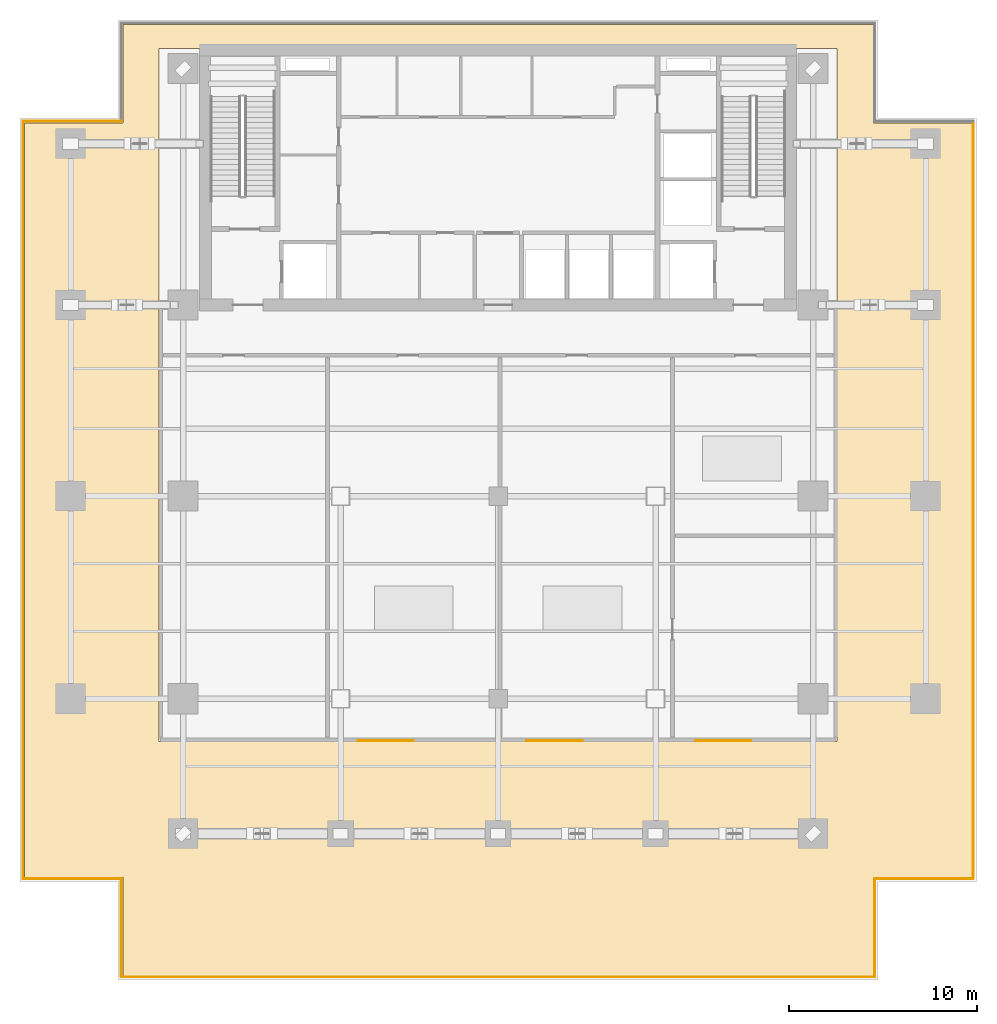
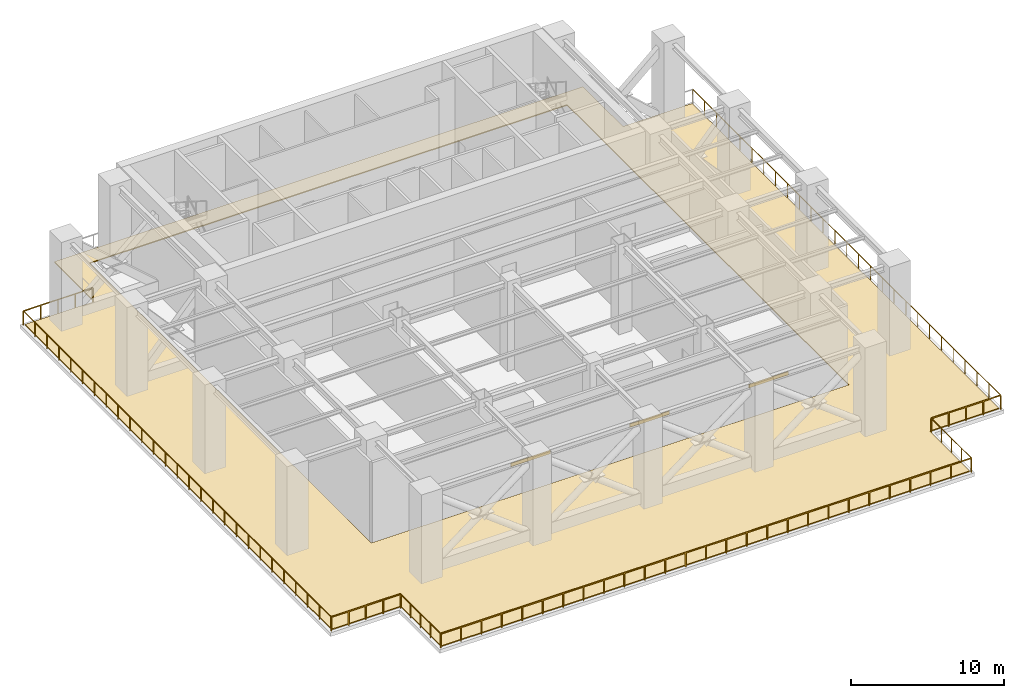
# One storey, part 6 of 9: 8 railings, 3 shading devices, 1 covering.
"""IFC4 building model written with IfcOpenShell, lengths in metres."""

from ifc_helpers import new_model, si_unit, direction, frame, origin, origin_2d, place, context, subcontext, project, spatial, polyline, rectangle, outline, extrude, source, transform, mapped, material, layer, layer_set, material_profile, profile_set, type_object, element, save


model = new_model("IFC4")

# Units and contexts
model_context = context("Model", 3, precision=1e-05, world=origin(), true_north=direction((0.0, 1.0)))
body_context = subcontext(model_context, "Body", "Model", "MODEL_VIEW")
ifc_project = project(units=[si_unit("LENGTHUNIT", "METRE"), si_unit("AREAUNIT", "SQUARE_METRE"), si_unit("VOLUMEUNIT", "CUBIC_METRE"), si_unit("PLANEANGLEUNIT", "RADIAN"), si_unit("MASSUNIT", "GRAM", prefix="KILO")], contexts=[model_context])

# Site, building, storey
site_placement = place(None, origin())
site = spatial("IfcSite", under=ifc_project, at=site_placement, CompositionType="ELEMENT")
building_placement = place(site_placement, origin())
building = spatial("IfcBuilding", under=site, at=building_placement, Name="Sumidabori Civic Tower", CompositionType="ELEMENT")
storey_placement = place(building_placement, frame((0.0, 0.0, 124.39990234375)))
storey = spatial("IfcBuildingStorey", under=building, at=storey_placement, Name="L32", CompositionType="ELEMENT", Elevation=124.39990234375)

# Covering
ifc_material_1 = material(Name="Insulated Waterproof Roofing Membrane")
ifc_layer = layer(ifc_material_1, 0.080078125, Name="Insulated Waterproof Roofing Membrane")
ifc_layer_set = layer_set([ifc_layer], Name="Insulated Waterproof Roofing Membrane")
covering_type = type_object("IfcCoveringType", Name="CV-ROOF-MEM", PredefinedType="ROOFING", material=ifc_layer_set)
covering_placement = place(storey_placement, origin())
element("IfcCovering", 1, at=covering_placement, inside=storey, type_object=covering_type, Name="Wind-Slot Deck Waterproofing Membrane L32-1", PredefinedType="ROOFING", context=body_context, shape_type="SweptSolid", body=[
    extrude(outline(polyline([(-20.010009765625, -20.31005859375), (-25.260009765625, -20.31005859375), (-25.260009765625, 19.909912109375), (-20.010009765625, 19.909912109375), (-20.010009765625, 25.159912109375), (20.010009765625, 25.159912109375), (20.010009765625, 19.909912109375), (25.260009765625, 19.909912109375), (25.260009765625, -20.31005859375), (20.010009765625, -20.31005859375), (20.010009765625, -25.56005859375), (-20.010009765625, -25.56005859375), (-20.010009765625, -20.31005859375)]), holes=[polyline([(18.080078125, 23.8798828125), (-18.080078125, 23.8798828125), (-18.080078125, -13.080078125), (18.080078125, -13.080078125), (18.080078125, 23.8798828125)])]), origin(), (0.0, 0.0, 1.0), 0.080078125),
])

# Railings
ifc_material_2 = material(Name="Anodised Bronze Aluminium AW-6063-T6", Category="aluminium")
railing_type = type_object("IfcRailingType", Name="RL-BAL-1150", PredefinedType="BALUSTRADE", material=ifc_material_2)
railing_1_placement = place(storey_placement, frame((-20.090087890625, -25.639892578125, 0.0)))
element("IfcRailing", 2, at=railing_1_placement, inside=storey, type_object=railing_type, Name="Wind-Slot Refuge Portal Safety Guard L32-01", PredefinedType="BALUSTRADE", context=body_context, shape_type="SweptSolid", body=[
    extrude(rectangle(XDim=0.048095703125, YDim=0.048095703125, at=origin_2d()), frame((0.0, 0.0, 1.1259765625), z_axis=(0.0, 1.0, 0.0), x_axis=(-1.0, 0.0, 0.0)), (0.0, 0.0, 1.0), 5.25),
    extrude(rectangle(XDim=0.0419921875, YDim=0.0419921875, at=origin_2d()), origin(), (0.0, 0.0, 1.0), 1.101806640625),
    extrude(rectangle(XDim=0.0419921875, YDim=0.0419921875, at=origin_2d()), frame((0.0, 1.3125, 0.0)), (0.0, 0.0, 1.0), 1.101806640625),
    extrude(rectangle(XDim=0.0419921875, YDim=0.0419921875, at=origin_2d()), frame((0.0, 2.625, 0.0)), (0.0, 0.0, 1.0), 1.101806640625),
    extrude(rectangle(XDim=0.0419921875, YDim=0.0419921875, at=origin_2d()), frame((0.0, 3.9375, 0.0)), (0.0, 0.0, 1.0), 1.101806640625),
    extrude(rectangle(XDim=0.0419921875, YDim=0.0419921875, at=origin_2d()), frame((0.0, 5.25, 0.0)), (0.0, 0.0, 1.0), 1.101806640625),
])
railing_2_placement = place(storey_placement, frame((-20.090087890625, -20.389892578125, 0.0)))
element("IfcRailing", 3, at=railing_2_placement, inside=storey, type_object=railing_type, Name="Wind-Slot Refuge Portal Safety Guard L32-02", PredefinedType="BALUSTRADE", context=body_context, shape_type="SweptSolid", body=[
    extrude(rectangle(XDim=0.048095703125, YDim=0.048095703125, at=origin_2d()), frame((0.0, 0.0, 1.1259765625), z_axis=(-1.0, 0.0, 0.0), x_axis=(0.0, -1.0, 0.0)), (0.0, 0.0, 1.0), 5.25),
    extrude(rectangle(XDim=0.0419921875, YDim=0.0419921875, at=origin_2d()), origin(), (0.0, 0.0, 1.0), 1.101806640625),
    extrude(rectangle(XDim=0.0419921875, YDim=0.0419921875, at=origin_2d()), frame((-1.3125, 0.0, 0.0)), (0.0, 0.0, 1.0), 1.101806640625),
    extrude(rectangle(XDim=0.0419921875, YDim=0.0419921875, at=origin_2d()), frame((-2.625, 0.0, 0.0)), (0.0, 0.0, 1.0), 1.101806640625),
    extrude(rectangle(XDim=0.0419921875, YDim=0.0419921875, at=origin_2d()), frame((-3.9375, 0.0, 0.0)), (0.0, 0.0, 1.0), 1.101806640625),
    extrude(rectangle(XDim=0.0419921875, YDim=0.0419921875, at=origin_2d()), frame((-5.25, 0.0, 0.0)), (0.0, 0.0, 1.0), 1.101806640625),
])
railing_3_placement = place(storey_placement, frame((-25.340087890625, -20.389892578125, 0.0)))
element("IfcRailing", 4, at=railing_3_placement, inside=storey, type_object=railing_type, Name="Wind-Slot Refuge Portal Safety Guard L32-03", PredefinedType="BALUSTRADE", context=body_context, shape_type="SweptSolid", body=[
    extrude(rectangle(XDim=0.048095703125, YDim=0.048095703125, at=origin_2d()), frame((0.0, 0.0, 1.1259765625), z_axis=(0.0, 1.0, 0.0), x_axis=(-1.0, 0.0, 0.0)), (0.0, 0.0, 1.0), 40.3798828125),
    extrude(rectangle(XDim=0.0419921875, YDim=0.0419921875, at=origin_2d()), origin(), (0.0, 0.0, 1.0), 1.101806640625),
    extrude(rectangle(XDim=0.0419921875, YDim=0.0419921875, at=origin_2d()), frame((0.0, 1.552978515625, 0.0)), (0.0, 0.0, 1.0), 1.101806640625),
    extrude(rectangle(XDim=0.0419921875, YDim=0.0419921875, at=origin_2d()), frame((0.0, 3.106201171875, 0.0)), (0.0, 0.0, 1.0), 1.101806640625),
    extrude(rectangle(XDim=0.0419921875, YDim=0.0419921875, at=origin_2d()), frame((0.0, 4.6591796875, 0.0)), (0.0, 0.0, 1.0), 1.101806640625),
    extrude(rectangle(XDim=0.0419921875, YDim=0.0419921875, at=origin_2d()), frame((0.0, 6.21240234375, 0.0)), (0.0, 0.0, 1.0), 1.101806640625),
    extrude(rectangle(XDim=0.0419921875, YDim=0.0419921875, at=origin_2d()), frame((0.0, 7.765380859375, 0.0)), (0.0, 0.0, 1.0), 1.101806640625),
    extrude(rectangle(XDim=0.0419921875, YDim=0.0419921875, at=origin_2d()), frame((0.0, 9.318359375, 0.0)), (0.0, 0.0, 1.0), 1.101806640625),
    extrude(rectangle(XDim=0.0419921875, YDim=0.0419921875, at=origin_2d()), frame((0.0, 10.87158203125, 0.0)), (0.0, 0.0, 1.0), 1.101806640625),
    extrude(rectangle(XDim=0.0419921875, YDim=0.0419921875, at=origin_2d()), frame((0.0, 12.424560546875, 0.0)), (0.0, 0.0, 1.0), 1.101806640625),
    extrude(rectangle(XDim=0.0419921875, YDim=0.0419921875, at=origin_2d()), frame((0.0, 13.9775390625, 0.0)), (0.0, 0.0, 1.0), 1.101806640625),
    extrude(rectangle(XDim=0.0419921875, YDim=0.0419921875, at=origin_2d()), frame((0.0, 15.53076171875, 0.0)), (0.0, 0.0, 1.0), 1.101806640625),
    extrude(rectangle(XDim=0.0419921875, YDim=0.0419921875, at=origin_2d()), frame((0.0, 17.083740234375, 0.0)), (0.0, 0.0, 1.0), 1.101806640625),
    extrude(rectangle(XDim=0.0419921875, YDim=0.0419921875, at=origin_2d()), frame((0.0, 18.636962890625, 0.0)), (0.0, 0.0, 1.0), 1.101806640625),
    extrude(rectangle(XDim=0.0419921875, YDim=0.0419921875, at=origin_2d()), frame((0.0, 20.18994140625, 0.0)), (0.0, 0.0, 1.0), 1.101806640625),
    extrude(rectangle(XDim=0.0419921875, YDim=0.0419921875, at=origin_2d()), frame((0.0, 21.742919921875, 0.0)), (0.0, 0.0, 1.0), 1.101806640625),
    extrude(rectangle(XDim=0.0419921875, YDim=0.0419921875, at=origin_2d()), frame((0.0, 23.296142578125, 0.0)), (0.0, 0.0, 1.0), 1.101806640625),
    extrude(rectangle(XDim=0.0419921875, YDim=0.0419921875, at=origin_2d()), frame((0.0, 24.84912109375, 0.0)), (0.0, 0.0, 1.0), 1.101806640625),
    extrude(rectangle(XDim=0.0419921875, YDim=0.0419921875, at=origin_2d()), frame((0.0, 26.40234375, 0.0)), (0.0, 0.0, 1.0), 1.101806640625),
    extrude(rectangle(XDim=0.0419921875, YDim=0.0419921875, at=origin_2d()), frame((0.0, 27.955322265625, 0.0)), (0.0, 0.0, 1.0), 1.101806640625),
    extrude(rectangle(XDim=0.0419921875, YDim=0.0419921875, at=origin_2d()), frame((0.0, 29.50830078125, 0.0)), (0.0, 0.0, 1.0), 1.101806640625),
    extrude(rectangle(XDim=0.0419921875, YDim=0.0419921875, at=origin_2d()), frame((0.0, 31.0615234375, 0.0)), (0.0, 0.0, 1.0), 1.101806640625),
    extrude(rectangle(XDim=0.0419921875, YDim=0.0419921875, at=origin_2d()), frame((0.0, 32.614501953125, 0.0)), (0.0, 0.0, 1.0), 1.101806640625),
    extrude(rectangle(XDim=0.0419921875, YDim=0.0419921875, at=origin_2d()), frame((0.0, 34.16748046875, 0.0)), (0.0, 0.0, 1.0), 1.101806640625),
    extrude(rectangle(XDim=0.0419921875, YDim=0.0419921875, at=origin_2d()), frame((0.0, 35.720703125, 0.0)), (0.0, 0.0, 1.0), 1.101806640625),
    extrude(rectangle(XDim=0.0419921875, YDim=0.0419921875, at=origin_2d()), frame((0.0, 37.273681640625, 0.0)), (0.0, 0.0, 1.0), 1.101806640625),
    extrude(rectangle(XDim=0.0419921875, YDim=0.0419921875, at=origin_2d()), frame((0.0, 38.826904296875, 0.0)), (0.0, 0.0, 1.0), 1.101806640625),
    extrude(rectangle(XDim=0.0419921875, YDim=0.0419921875, at=origin_2d()), frame((0.0, 40.3798828125, 0.0)), (0.0, 0.0, 1.0), 1.101806640625),
])
railing_4_placement = place(storey_placement, frame((-25.340087890625, 19.989990234375, 0.0)))
element("IfcRailing", 5, at=railing_4_placement, inside=storey, type_object=railing_type, Name="Wind-Slot Refuge Portal Safety Guard L32-04", PredefinedType="BALUSTRADE", context=body_context, shape_type="SweptSolid", body=[
    extrude(rectangle(XDim=0.048095703125, YDim=0.048095703125, at=origin_2d()), frame((0.0, 0.0, 1.1259765625), z_axis=(1.0, 0.0, 0.0), x_axis=(0.0, 1.0, 0.0)), (0.0, 0.0, 1.0), 5.25),
    extrude(rectangle(XDim=0.0419921875, YDim=0.0419921875, at=origin_2d()), origin(), (0.0, 0.0, 1.0), 1.101806640625),
    extrude(rectangle(XDim=0.0419921875, YDim=0.0419921875, at=origin_2d()), frame((1.3125, 0.0, 0.0)), (0.0, 0.0, 1.0), 1.101806640625),
    extrude(rectangle(XDim=0.0419921875, YDim=0.0419921875, at=origin_2d()), frame((2.625, 0.0, 0.0)), (0.0, 0.0, 1.0), 1.101806640625),
    extrude(rectangle(XDim=0.0419921875, YDim=0.0419921875, at=origin_2d()), frame((3.9375, 0.0, 0.0)), (0.0, 0.0, 1.0), 1.101806640625),
    extrude(rectangle(XDim=0.0419921875, YDim=0.0419921875, at=origin_2d()), frame((5.25, 0.0, 0.0)), (0.0, 0.0, 1.0), 1.101806640625),
])
railing_5_placement = place(storey_placement, frame((25.340087890625, 19.989990234375, 0.0)))
element("IfcRailing", 6, at=railing_5_placement, inside=storey, type_object=railing_type, Name="Wind-Slot Refuge Portal Safety Guard L32-09", PredefinedType="BALUSTRADE", context=body_context, shape_type="SweptSolid", body=[
    extrude(rectangle(XDim=0.048095703125, YDim=0.048095703125, at=origin_2d()), frame((0.0, 0.0, 1.1259765625), z_axis=(0.0, -1.0, 0.0), x_axis=(1.0, 0.0, 0.0)), (0.0, 0.0, 1.0), 40.3798828125),
    extrude(rectangle(XDim=0.0419921875, YDim=0.0419921875, at=origin_2d()), origin(), (0.0, 0.0, 1.0), 1.101806640625),
    extrude(rectangle(XDim=0.0419921875, YDim=0.0419921875, at=origin_2d()), frame((0.0, -1.552978515625, 0.0)), (0.0, 0.0, 1.0), 1.101806640625),
    extrude(rectangle(XDim=0.0419921875, YDim=0.0419921875, at=origin_2d()), frame((0.0, -3.106201171875, 0.0)), (0.0, 0.0, 1.0), 1.101806640625),
    extrude(rectangle(XDim=0.0419921875, YDim=0.0419921875, at=origin_2d()), frame((0.0, -4.6591796875, 0.0)), (0.0, 0.0, 1.0), 1.101806640625),
    extrude(rectangle(XDim=0.0419921875, YDim=0.0419921875, at=origin_2d()), frame((0.0, -6.21240234375, 0.0)), (0.0, 0.0, 1.0), 1.101806640625),
    extrude(rectangle(XDim=0.0419921875, YDim=0.0419921875, at=origin_2d()), frame((0.0, -7.765380859375, 0.0)), (0.0, 0.0, 1.0), 1.101806640625),
    extrude(rectangle(XDim=0.0419921875, YDim=0.0419921875, at=origin_2d()), frame((0.0, -9.318359375, 0.0)), (0.0, 0.0, 1.0), 1.101806640625),
    extrude(rectangle(XDim=0.0419921875, YDim=0.0419921875, at=origin_2d()), frame((0.0, -10.87158203125, 0.0)), (0.0, 0.0, 1.0), 1.101806640625),
    extrude(rectangle(XDim=0.0419921875, YDim=0.0419921875, at=origin_2d()), frame((0.0, -12.424560546875, 0.0)), (0.0, 0.0, 1.0), 1.101806640625),
    extrude(rectangle(XDim=0.0419921875, YDim=0.0419921875, at=origin_2d()), frame((0.0, -13.9775390625, 0.0)), (0.0, 0.0, 1.0), 1.101806640625),
    extrude(rectangle(XDim=0.0419921875, YDim=0.0419921875, at=origin_2d()), frame((0.0, -15.53076171875, 0.0)), (0.0, 0.0, 1.0), 1.101806640625),
    extrude(rectangle(XDim=0.0419921875, YDim=0.0419921875, at=origin_2d()), frame((0.0, -17.083740234375, 0.0)), (0.0, 0.0, 1.0), 1.101806640625),
    extrude(rectangle(XDim=0.0419921875, YDim=0.0419921875, at=origin_2d()), frame((0.0, -18.636962890625, 0.0)), (0.0, 0.0, 1.0), 1.101806640625),
    extrude(rectangle(XDim=0.0419921875, YDim=0.0419921875, at=origin_2d()), frame((0.0, -20.18994140625, 0.0)), (0.0, 0.0, 1.0), 1.101806640625),
    extrude(rectangle(XDim=0.0419921875, YDim=0.0419921875, at=origin_2d()), frame((0.0, -21.742919921875, 0.0)), (0.0, 0.0, 1.0), 1.101806640625),
    extrude(rectangle(XDim=0.0419921875, YDim=0.0419921875, at=origin_2d()), frame((0.0, -23.296142578125, 0.0)), (0.0, 0.0, 1.0), 1.101806640625),
    extrude(rectangle(XDim=0.0419921875, YDim=0.0419921875, at=origin_2d()), frame((0.0, -24.84912109375, 0.0)), (0.0, 0.0, 1.0), 1.101806640625),
    extrude(rectangle(XDim=0.0419921875, YDim=0.0419921875, at=origin_2d()), frame((0.0, -26.40234375, 0.0)), (0.0, 0.0, 1.0), 1.101806640625),
    extrude(rectangle(XDim=0.0419921875, YDim=0.0419921875, at=origin_2d()), frame((0.0, -27.955322265625, 0.0)), (0.0, 0.0, 1.0), 1.101806640625),
    extrude(rectangle(XDim=0.0419921875, YDim=0.0419921875, at=origin_2d()), frame((0.0, -29.50830078125, 0.0)), (0.0, 0.0, 1.0), 1.101806640625),
    extrude(rectangle(XDim=0.0419921875, YDim=0.0419921875, at=origin_2d()), frame((0.0, -31.0615234375, 0.0)), (0.0, 0.0, 1.0), 1.101806640625),
    extrude(rectangle(XDim=0.0419921875, YDim=0.0419921875, at=origin_2d()), frame((0.0, -32.614501953125, 0.0)), (0.0, 0.0, 1.0), 1.101806640625),
    extrude(rectangle(XDim=0.0419921875, YDim=0.0419921875, at=origin_2d()), frame((0.0, -34.16748046875, 0.0)), (0.0, 0.0, 1.0), 1.101806640625),
    extrude(rectangle(XDim=0.0419921875, YDim=0.0419921875, at=origin_2d()), frame((0.0, -35.720703125, 0.0)), (0.0, 0.0, 1.0), 1.101806640625),
    extrude(rectangle(XDim=0.0419921875, YDim=0.0419921875, at=origin_2d()), frame((0.0, -37.273681640625, 0.0)), (0.0, 0.0, 1.0), 1.101806640625),
    extrude(rectangle(XDim=0.0419921875, YDim=0.0419921875, at=origin_2d()), frame((0.0, -38.826904296875, 0.0)), (0.0, 0.0, 1.0), 1.101806640625),
    extrude(rectangle(XDim=0.0419921875, YDim=0.0419921875, at=origin_2d()), frame((0.0, -40.3798828125, 0.0)), (0.0, 0.0, 1.0), 1.101806640625),
])
railing_6_placement = place(storey_placement, frame((25.340087890625, -20.389892578125, 0.0)))
element("IfcRailing", 7, at=railing_6_placement, inside=storey, type_object=railing_type, Name="Wind-Slot Refuge Portal Safety Guard L32-10", PredefinedType="BALUSTRADE", context=body_context, shape_type="SweptSolid", body=[
    extrude(rectangle(XDim=0.048095703125, YDim=0.048095703125, at=origin_2d()), frame((0.0, 0.0, 1.1259765625), z_axis=(-1.0, 0.0, 0.0), x_axis=(0.0, -1.0, 0.0)), (0.0, 0.0, 1.0), 5.25),
    extrude(rectangle(XDim=0.0419921875, YDim=0.0419921875, at=origin_2d()), origin(), (0.0, 0.0, 1.0), 1.101806640625),
    extrude(rectangle(XDim=0.0419921875, YDim=0.0419921875, at=origin_2d()), frame((-1.3125, 0.0, 0.0)), (0.0, 0.0, 1.0), 1.101806640625),
    extrude(rectangle(XDim=0.0419921875, YDim=0.0419921875, at=origin_2d()), frame((-2.625, 0.0, 0.0)), (0.0, 0.0, 1.0), 1.101806640625),
    extrude(rectangle(XDim=0.0419921875, YDim=0.0419921875, at=origin_2d()), frame((-3.9375, 0.0, 0.0)), (0.0, 0.0, 1.0), 1.101806640625),
    extrude(rectangle(XDim=0.0419921875, YDim=0.0419921875, at=origin_2d()), frame((-5.25, 0.0, 0.0)), (0.0, 0.0, 1.0), 1.101806640625),
])
railing_7_placement = place(storey_placement, frame((20.090087890625, -20.389892578125, 0.0)))
element("IfcRailing", 8, at=railing_7_placement, inside=storey, type_object=railing_type, Name="Wind-Slot Refuge Portal Safety Guard L32-11", PredefinedType="BALUSTRADE", context=body_context, shape_type="SweptSolid", body=[
    extrude(rectangle(XDim=0.048095703125, YDim=0.048095703125, at=origin_2d()), frame((0.0, 0.0, 1.1259765625), z_axis=(0.0, -1.0, 0.0), x_axis=(1.0, 0.0, 0.0)), (0.0, 0.0, 1.0), 5.25),
    extrude(rectangle(XDim=0.0419921875, YDim=0.0419921875, at=origin_2d()), origin(), (0.0, 0.0, 1.0), 1.101806640625),
    extrude(rectangle(XDim=0.0419921875, YDim=0.0419921875, at=origin_2d()), frame((0.0, -1.3125, 0.0)), (0.0, 0.0, 1.0), 1.101806640625),
    extrude(rectangle(XDim=0.0419921875, YDim=0.0419921875, at=origin_2d()), frame((0.0, -2.625, 0.0)), (0.0, 0.0, 1.0), 1.101806640625),
    extrude(rectangle(XDim=0.0419921875, YDim=0.0419921875, at=origin_2d()), frame((0.0, -3.9375, 0.0)), (0.0, 0.0, 1.0), 1.101806640625),
    extrude(rectangle(XDim=0.0419921875, YDim=0.0419921875, at=origin_2d()), frame((0.0, -5.25, 0.0)), (0.0, 0.0, 1.0), 1.101806640625),
])
railing_8_placement = place(storey_placement, frame((20.090087890625, -25.639892578125, 0.0)))
element("IfcRailing", 9, at=railing_8_placement, inside=storey, type_object=railing_type, Name="Wind-Slot Refuge Portal Safety Guard L32-12", PredefinedType="BALUSTRADE", context=body_context, shape_type="SweptSolid", body=[
    extrude(rectangle(XDim=0.048095703125, YDim=0.048095703125, at=origin_2d()), frame((0.0, 0.0, 1.1259765625), z_axis=(-1.0, 0.0, 0.0), x_axis=(0.0, -1.0, 0.0)), (0.0, 0.0, 1.0), 40.18017578125),
    extrude(rectangle(XDim=0.0419921875, YDim=0.0419921875, at=origin_2d()), origin(), (0.0, 0.0, 1.0), 1.101806640625),
    extrude(rectangle(XDim=0.0419921875, YDim=0.0419921875, at=origin_2d()), frame((-1.54541015625, 0.0, 0.0)), (0.0, 0.0, 1.0), 1.101806640625),
    extrude(rectangle(XDim=0.0419921875, YDim=0.0419921875, at=origin_2d()), frame((-3.0908203125, 0.0, 0.0)), (0.0, 0.0, 1.0), 1.101806640625),
    extrude(rectangle(XDim=0.0419921875, YDim=0.0419921875, at=origin_2d()), frame((-4.63623046875, 0.0, 0.0)), (0.0, 0.0, 1.0), 1.101806640625),
    extrude(rectangle(XDim=0.0419921875, YDim=0.0419921875, at=origin_2d()), frame((-6.181640625, 0.0, 0.0)), (0.0, 0.0, 1.0), 1.101806640625),
    extrude(rectangle(XDim=0.0419921875, YDim=0.0419921875, at=origin_2d()), frame((-7.72705078125, 0.0, 0.0)), (0.0, 0.0, 1.0), 1.101806640625),
    extrude(rectangle(XDim=0.0419921875, YDim=0.0419921875, at=origin_2d()), frame((-9.2724609375, 0.0, 0.0)), (0.0, 0.0, 1.0), 1.101806640625),
    extrude(rectangle(XDim=0.0419921875, YDim=0.0419921875, at=origin_2d()), frame((-10.817626953125, 0.0, 0.0)), (0.0, 0.0, 1.0), 1.101806640625),
    extrude(rectangle(XDim=0.0419921875, YDim=0.0419921875, at=origin_2d()), frame((-12.363037109375, 0.0, 0.0)), (0.0, 0.0, 1.0), 1.101806640625),
    extrude(rectangle(XDim=0.0419921875, YDim=0.0419921875, at=origin_2d()), frame((-13.908447265625, 0.0, 0.0)), (0.0, 0.0, 1.0), 1.101806640625),
    extrude(rectangle(XDim=0.0419921875, YDim=0.0419921875, at=origin_2d()), frame((-15.453857421875, 0.0, 0.0)), (0.0, 0.0, 1.0), 1.101806640625),
    extrude(rectangle(XDim=0.0419921875, YDim=0.0419921875, at=origin_2d()), frame((-16.999267578125, 0.0, 0.0)), (0.0, 0.0, 1.0), 1.101806640625),
    extrude(rectangle(XDim=0.0419921875, YDim=0.0419921875, at=origin_2d()), frame((-18.544677734375, 0.0, 0.0)), (0.0, 0.0, 1.0), 1.101806640625),
    extrude(rectangle(XDim=0.0419921875, YDim=0.0419921875, at=origin_2d()), frame((-20.090087890625, 0.0, 0.0)), (0.0, 0.0, 1.0), 1.101806640625),
    extrude(rectangle(XDim=0.0419921875, YDim=0.0419921875, at=origin_2d()), frame((-21.635498046875, 0.0, 0.0)), (0.0, 0.0, 1.0), 1.101806640625),
    extrude(rectangle(XDim=0.0419921875, YDim=0.0419921875, at=origin_2d()), frame((-23.180908203125, 0.0, 0.0)), (0.0, 0.0, 1.0), 1.101806640625),
    extrude(rectangle(XDim=0.0419921875, YDim=0.0419921875, at=origin_2d()), frame((-24.726318359375, 0.0, 0.0)), (0.0, 0.0, 1.0), 1.101806640625),
    extrude(rectangle(XDim=0.0419921875, YDim=0.0419921875, at=origin_2d()), frame((-26.271728515625, 0.0, 0.0)), (0.0, 0.0, 1.0), 1.101806640625),
    extrude(rectangle(XDim=0.0419921875, YDim=0.0419921875, at=origin_2d()), frame((-27.817138671875, 0.0, 0.0)), (0.0, 0.0, 1.0), 1.101806640625),
    extrude(rectangle(XDim=0.0419921875, YDim=0.0419921875, at=origin_2d()), frame((-29.362548828125, 0.0, 0.0)), (0.0, 0.0, 1.0), 1.101806640625),
    extrude(rectangle(XDim=0.0419921875, YDim=0.0419921875, at=origin_2d()), frame((-30.90771484375, 0.0, 0.0)), (0.0, 0.0, 1.0), 1.101806640625),
    extrude(rectangle(XDim=0.0419921875, YDim=0.0419921875, at=origin_2d()), frame((-32.453125, 0.0, 0.0)), (0.0, 0.0, 1.0), 1.101806640625),
    extrude(rectangle(XDim=0.0419921875, YDim=0.0419921875, at=origin_2d()), frame((-33.99853515625, 0.0, 0.0)), (0.0, 0.0, 1.0), 1.101806640625),
    extrude(rectangle(XDim=0.0419921875, YDim=0.0419921875, at=origin_2d()), frame((-35.5439453125, 0.0, 0.0)), (0.0, 0.0, 1.0), 1.101806640625),
    extrude(rectangle(XDim=0.0419921875, YDim=0.0419921875, at=origin_2d()), frame((-37.08935546875, 0.0, 0.0)), (0.0, 0.0, 1.0), 1.101806640625),
    extrude(rectangle(XDim=0.0419921875, YDim=0.0419921875, at=origin_2d()), frame((-38.634765625, 0.0, 0.0)), (0.0, 0.0, 1.0), 1.101806640625),
    extrude(rectangle(XDim=0.0419921875, YDim=0.0419921875, at=origin_2d()), frame((-40.18017578125, 0.0, 0.0)), (0.0, 0.0, 1.0), 1.101806640625),
])

# Shading devices
ifc_material_profile = material_profile(ifc_material_2, rectangle(XDim=0.050048828125, YDim=0.280029296875, at=origin_2d()), Name="BRONZE LOUVRE 280x50")
ifc_profile_set = profile_set([ifc_material_profile], Name="Anodised Bronze Aluminium AW-6063-T6")
shading_device_type = type_object("IfcShadingDeviceType", Name="SH-LVR-280", PredefinedType="JALOUSIE", material=ifc_profile_set)
shared_shape = source(origin(), body_context, "Body", "SweptSolid", [
    extrude(rectangle(XDim=0.050048828125, YDim=0.280029296875, at=origin_2d()), origin(), (0.0, 0.0, 1.0), 3.0),
])
for number, where, z_axis, x_axis, name in (
    (10, (-7.5, -13.050048828125, 2.60009765625), (1.0, 0.0, 0.0), (0.0, 1.0, 0.0), "Recessed Plant Pod Weather Louvre L32-1"),
    (11, (1.5, -13.050048828125, 2.60009765625), (1.0, 0.0, 0.0), (0.0, 1.0, 0.0), "Recessed Plant Pod Weather Louvre L32-2"),
    (12, (10.5, -13.050048828125, 2.60009765625), (1.0, 0.0, 0.0), (0.0, 1.0, 0.0), "Recessed Plant Pod Weather Louvre L32-3"),
):
    element("IfcShadingDevice", number, at=place(storey_placement, frame(where, z_axis=z_axis, x_axis=x_axis)), inside=storey, type_object=shading_device_type, Name=name, PredefinedType="JALOUSIE", context=body_context, shape_type="MappedRepresentation", body=[
        mapped(shared_shape, transform((0.0, 0.0, 0.0), x_axis=(1.0, 0.0, 0.0), y_axis=(0.0, 1.0, 0.0), z_axis=(0.0, 0.0, 1.0), scale=1.0)),
    ])

save(model, "model.ifc")
